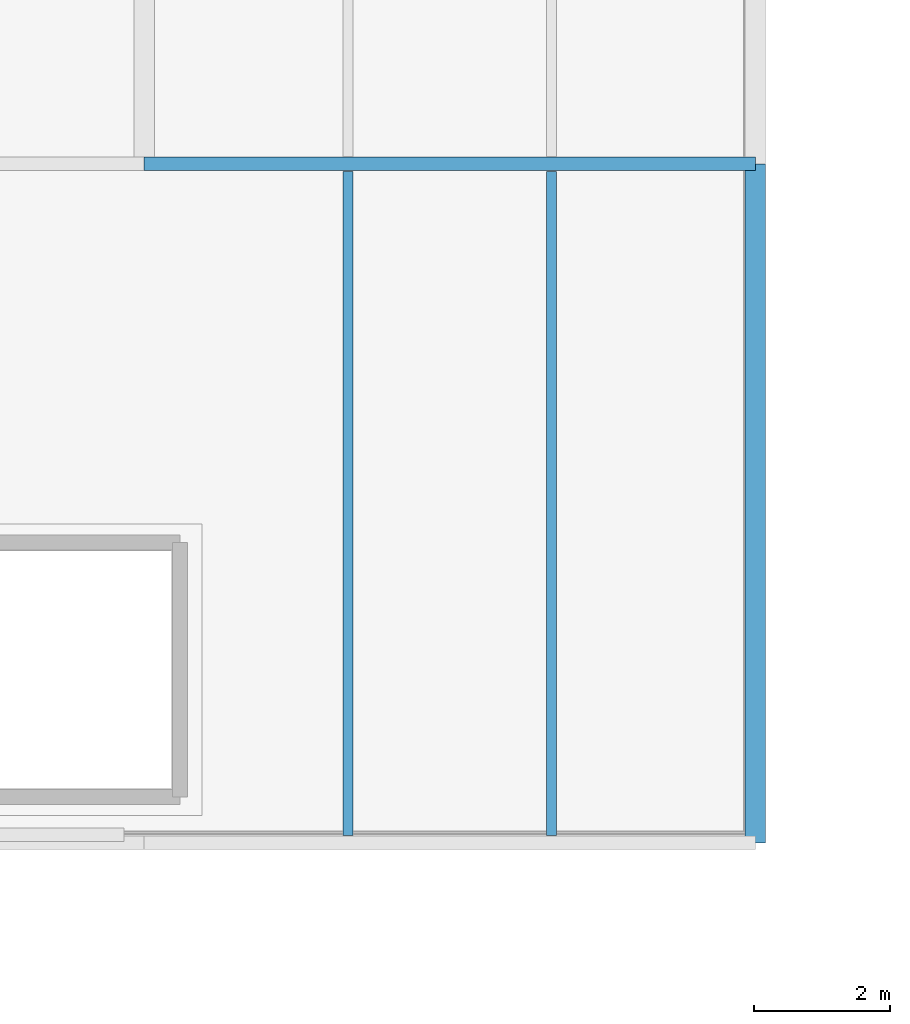
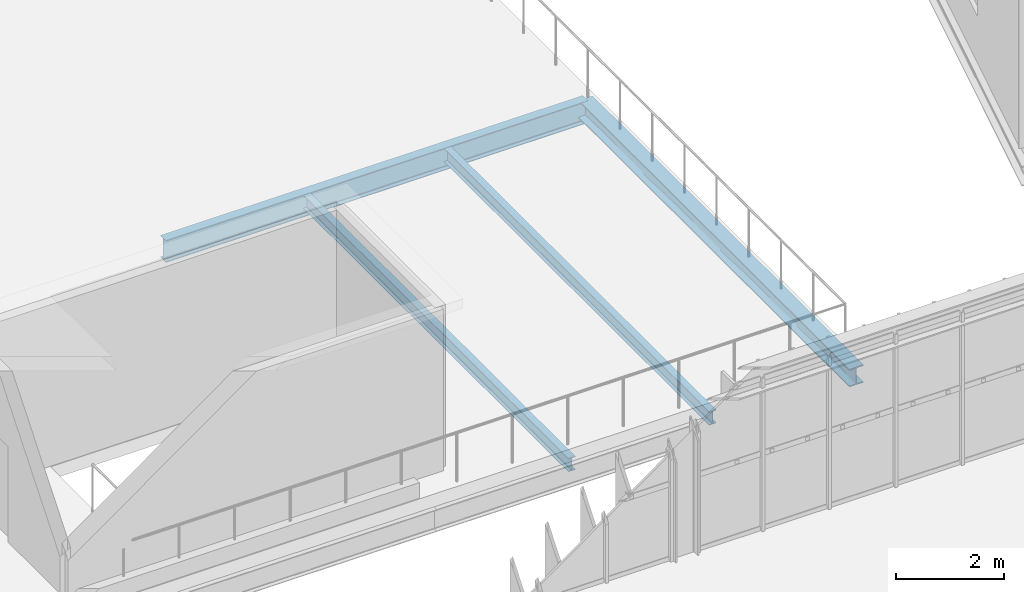
# One storey, part 72 of 152: 4 beams.
"""IFC4 building model written with IfcOpenShell, lengths in metres."""

import ifcopenshell
import ifcopenshell.guid

model = None  # the IFC model being written
_history = None  # IfcOwnerHistory: only IFC2X3 demands one
_inside = {}  # id of a spatial element -> (the spatial element, [elements in it])
_under = {}  # id of a project, library or spatial element -> (it, [spatial elements below it])
_declared = {}  # id of a project -> (the project, [libraries it declares])
_typed = {}  # id of a type object -> (the type object, [elements of that type])
_made_of = {}  # id of a material, layer set ... -> (it, [elements and type objects made of it])


def new_model(schema):
    """Start an empty IFC model of exactly this schema.

    Asked for "IFC4X3", IfcOpenShell would pick the latest addendum, in which some entities
    have other attributes; the version numbers below select the first issue.
    IFC2X3 requires an IfcOwnerHistory on every rooted entity: one is made here for all.
    """
    global model, _history
    if schema == "IFC4X3":
        model = ifcopenshell.file(schema_version=(4, 3, 0, 0))
    else:
        model = ifcopenshell.file(schema=schema)
    _inside.clear()
    _under.clear()
    _declared.clear()
    _typed.clear()
    _made_of.clear()
    _history = None
    if model.schema == "IFC2X3":
        org = make("IfcOrganization", Name="unknown")
        user = make(
            "IfcPersonAndOrganization",
            ThePerson=make("IfcPerson", FamilyName="unknown"),
            TheOrganization=org,
        )
        app = make(
            "IfcApplication",
            ApplicationDeveloper=org,
            Version="unknown",
            ApplicationFullName="unknown",
            ApplicationIdentifier="unknown",
        )
        _history = make(
            "IfcOwnerHistory",
            OwningUser=user,
            OwningApplication=app,
            ChangeAction="ADDED",
            CreationDate=0,
        )
    return model


def make(cls, **values):
    """One entity of the class cls with the attributes given. An attribute that is None is left unset."""
    return model.create_entity(
        cls, **{name: value for name, value in values.items() if value is not None}
    )


def rooted(cls, **values):
    """An entity with a GlobalId (a new one), such as an element, a storey or a relation."""
    return make(cls, GlobalId=ifcopenshell.guid.new(), OwnerHistory=_history, **values)


def si_unit(unit_type, name, prefix=None):
    """IfcSIUnit, for example si_unit("LENGTHUNIT", "METRE", prefix="MILLI")."""
    return make("IfcSIUnit", UnitType=unit_type, Prefix=prefix, Name=name)


def derived_unit(unit_type, elements):
    """IfcDerivedUnit: a product of units, each with its exponent."""
    return make(
        "IfcDerivedUnit",
        Elements=[
            make("IfcDerivedUnitElement", Unit=unit, Exponent=power)
            for unit, power in elements
        ],
        UnitType=unit_type,
    )


def assignment(units):
    """IfcUnitAssignment: the units of a project."""
    return None if units is None else make("IfcUnitAssignment", Units=units)


def point(xyz):
    """IfcCartesianPoint."""
    return None if xyz is None else make("IfcCartesianPoint", Coordinates=xyz)


def direction(xyz):
    """IfcDirection."""
    return None if xyz is None else make("IfcDirection", DirectionRatios=xyz)


def frame(location, z_axis=None, x_axis=None):
    """IfcAxis2Placement3D, a coordinate frame: its origin and axes. An axis left out is left unset."""
    return make(
        "IfcAxis2Placement3D",
        Location=point(location),
        Axis=direction(z_axis),
        RefDirection=direction(x_axis),
    )


def frame_2d(location, x_axis=None):
    """IfcAxis2Placement2D, a coordinate frame in the plane: its origin and x axis."""
    return make(
        "IfcAxis2Placement2D", Location=point(location), RefDirection=direction(x_axis)
    )


def origin():
    """The frame at (0, 0, 0) with its axes left unset."""
    return frame((0.0, 0.0, 0.0))


def origin_2d():
    """The frame at (0, 0) in the plane with its x axis left unset."""
    return frame_2d((0.0, 0.0))


def place(relative_to, where):
    """IfcLocalPlacement: puts the frame where relative to a parent placement (None: the world)."""
    return make(
        "IfcLocalPlacement", PlacementRelTo=relative_to, RelativePlacement=where
    )


def context(
    kind, dimensions, precision=None, world=None, true_north=None, identifier=None
):
    """IfcGeometricRepresentationContext, for example the 3D "Model" context."""
    return make(
        "IfcGeometricRepresentationContext",
        ContextIdentifier=identifier,
        ContextType=kind,
        CoordinateSpaceDimension=dimensions,
        Precision=precision,
        WorldCoordinateSystem=world,
        TrueNorth=true_north,
    )


def subcontext(parent, identifier, kind, view, scale=None):
    """IfcGeometricRepresentationSubContext, for example "Body" below "Model"."""
    return make(
        "IfcGeometricRepresentationSubContext",
        ContextIdentifier=identifier,
        ContextType=kind,
        ParentContext=parent,
        TargetScale=scale,
        TargetView=view,
    )


def project(units=None, contexts=None):
    """IfcProject with its units and contexts."""
    return rooted(
        "IfcProject",
        Name="project",
        RepresentationContexts=contexts,
        UnitsInContext=assignment(units),
    )


def spatial(cls, under=None, at=None, **own):
    """A site, building, storey or space (cls), placed at a placement, below another one or the project."""
    s = rooted(cls, ObjectPlacement=at, **own)
    if under is not None:
        _under.setdefault(under.id(), (under, []))[1].append(s)
    return s


def profile(cls, at=None, kind="AREA", **sizes):
    """A parametric profile (cls). Its sizes go by their IFC names, for example OverallWidth=200.0."""
    return make(cls, ProfileType=kind, Position=at, **sizes)


def i_section(**sizes):
    """IfcIShapeProfileDef."""
    return profile("IfcIShapeProfileDef", **sizes)


def extrude(swept, where, along, depth):
    """IfcExtrudedAreaSolid: the profile swept, set in the frame where, extruded along a direction by depth."""
    return make(
        "IfcExtrudedAreaSolid",
        SweptArea=swept,
        Position=where,
        ExtrudedDirection=direction(along),
        Depth=depth,
    )


def shape(context_of_items, identifier, shape_type, items):
    """IfcShapeRepresentation: the items that make up one representation, for example the "Body"."""
    return make(
        "IfcShapeRepresentation",
        ContextOfItems=context_of_items,
        RepresentationIdentifier=identifier,
        RepresentationType=shape_type,
        Items=items,
    )


def material(Name=None, Category=None):
    """IfcMaterial."""
    return make("IfcMaterial", Name=Name, Category=Category)


def material_profile(
    of_material, cross_section, Name=None, Category=None, Priority=None
):
    """IfcMaterialProfile: a cross section and its material."""
    return make(
        "IfcMaterialProfile",
        Name=Name,
        Material=of_material,
        Profile=cross_section,
        Priority=Priority,
        Category=Category,
    )


def profile_set(profiles, Name=None, composite=None):
    """IfcMaterialProfileSet."""
    return make(
        "IfcMaterialProfileSet",
        Name=Name,
        MaterialProfiles=profiles,
        CompositeProfile=composite,
    )


def made_of(thing, what):
    """Note that an element or type object is made of a material, layer set ...; save() writes the relation."""
    if what is not None:
        _made_of.setdefault(what.id(), (what, []))[1].append(thing)
    return thing


def type_object(cls, material=None, **own):
    """A type object (cls), such as IfcWallType, which elements share."""
    return made_of(rooted(cls, **own), material)


def element(
    cls,
    number,
    at=None,
    inside=None,
    cuts=None,
    type_object=None,
    material=None,
    context=None,
    identifier="Body",
    shape_type=None,
    held_by="IfcProductDefinitionShape",
    body=None,
    shapes=None,
    **own,
):
    """One element of the class cls, such as IfcWall. Its Tag is "e" and its number.

    at: its placement. inside: the storey or other place that contains it. cuts: it is an
    opening in that element (IfcRelVoidsElement). A single representation is given by context,
    identifier, shape_type and body (its items); several are given by shapes. held_by: the class
    of the entity that holds the representations. save() writes the other relations.
    """
    e = rooted(cls, Tag="e%d" % number, ObjectPlacement=at, **own)
    if body is not None:
        shapes = [shape(context, identifier, shape_type, body)]
    if shapes is not None:
        e.Representation = make(held_by, Representations=shapes)
    if inside is not None:
        _inside.setdefault(inside.id(), (inside, []))[1].append(e)
    if cuts is not None:
        rooted(
            "IfcRelVoidsElement", RelatingBuildingElement=cuts, RelatedOpeningElement=e
        )
    if type_object is not None:
        _typed.setdefault(type_object.id(), (type_object, []))[1].append(e)
    return made_of(e, material)


def aggregate(whole, parts):
    """IfcRelAggregates: a whole, such as a stair, and the parts it consists of."""
    return rooted("IfcRelAggregates", RelatingObject=whole, RelatedObjects=parts)


def save(model, path):
    """Write the relations noted so far, then the file.

    IfcRelAggregates (storeys below a building ...), IfcRelContainedInSpatialStructure (elements
    in a storey), IfcRelDefinesByType, IfcRelAssociatesMaterial and IfcRelDeclares: one each for
    every whole, place, type object, material and project.
    """
    for whole, parts in _under.values():
        aggregate(whole, parts)
    for where, things in _inside.values():
        rooted(
            "IfcRelContainedInSpatialStructure",
            RelatedElements=things,
            RelatingStructure=where,
        )
    for kind, things in _typed.values():
        rooted("IfcRelDefinesByType", RelatedObjects=things, RelatingType=kind)
    for what, things in _made_of.values():
        rooted("IfcRelAssociatesMaterial", RelatedObjects=things, RelatingMaterial=what)
    for by, libraries in _declared.values():
        rooted("IfcRelDeclares", RelatingContext=by, RelatedDefinitions=libraries)
    model.write(path)


model = new_model("IFC4")

# Units and contexts
model_context = context("Model", 3, precision=1e-05, world=origin(), true_north=direction((0.0, 1.0)))
body_context = subcontext(model_context, "Body", "Model", "MODEL_VIEW")
ifc_project = project(units=[si_unit("LENGTHUNIT", "METRE"), si_unit("AREAUNIT", "SQUARE_METRE"), si_unit("VOLUMEUNIT", "CUBIC_METRE"), si_unit("PLANEANGLEUNIT", "RADIAN"), si_unit("MASSUNIT", "GRAM", prefix="KILO"), si_unit("THERMODYNAMICTEMPERATUREUNIT", "KELVIN"), si_unit("TIMEUNIT", "SECOND"), derived_unit("THERMALTRANSMITTANCEUNIT", [(si_unit("MASSUNIT", "GRAM", prefix="KILO"), 1), (si_unit("THERMODYNAMICTEMPERATUREUNIT", "KELVIN"), -1), (si_unit("TIMEUNIT", "SECOND"), -3)])], contexts=[model_context])

# Site, building, storey
site_placement = place(None, origin())
site = spatial("IfcSite", under=ifc_project, at=site_placement, CompositionType="ELEMENT")
building_placement = place(site_placement, origin())
building = spatial("IfcBuilding", under=site, at=building_placement, Name="Cambertide Market Hall", CompositionType="ELEMENT")
storey_placement = place(building_placement, frame((0.0, 0.0, 5.39990234375)))
storey = spatial("IfcBuildingStorey", under=building, at=storey_placement, Name="L02", CompositionType="ELEMENT", Elevation=5.39990234375)

# Beams
ifc_material_1 = material(Name="Steel S355", Category="steel")
ifc_material_profile_1 = material_profile(ifc_material_1, i_section(OverallWidth=0.300048828125, OverallDepth=0.39990234375, WebThickness=0.013427734375, FlangeThickness=0.02392578125, FilletRadius=0.027099609375, at=origin_2d()), Name="HEB 400")
ifc_profile_set_1 = profile_set([ifc_material_profile_1], Name="Steel S355")
beam_type_1 = type_object("IfcBeamType", Name="Steel Girder HEB 400", PredefinedType="BEAM", material=ifc_profile_set_1)
beam_1_placement = place(storey_placement, frame((102.0, 96.0, -0.489990234375), z_axis=(0.0, 1.0, 0.0), x_axis=(-1.0, 0.0, 0.0)))
element("IfcBeam", 1, at=beam_1_placement, inside=storey, type_object=beam_type_1, Name="Level 2 Beam BM-V2Y-L02-11-1", PredefinedType="BEAM", context=body_context, shape_type="SweptSolid", body=[
    extrude(i_section(OverallWidth=0.300048828125, OverallDepth=0.39990234375, WebThickness=0.013427734375, FlangeThickness=0.02392578125, FilletRadius=0.027099609375, at=origin_2d()), origin(), (0.0, 0.0, 1.0), 10.0),
])
ifc_material_2 = material(Name="Steel S355", Category="steel")
ifc_material_profile_2 = material_profile(ifc_material_2, i_section(OverallWidth=0.199951171875, OverallDepth=0.5, WebThickness=0.01025390625, FlangeThickness=0.01611328125, FilletRadius=0.02099609375, at=origin_2d()), Name="IPE 500")
ifc_profile_set_2 = profile_set([ifc_material_profile_2], Name="Steel S355")
beam_type_2 = type_object("IfcBeamType", Name="Steel Girder IPE 500", PredefinedType="BEAM", material=ifc_profile_set_2)
beam_2_placement = place(storey_placement, frame((93.0, 106.0, -0.539794921875), z_axis=(1.0, 0.0, 0.0), x_axis=(0.0, 1.0, 0.0)))
element("IfcBeam", 2, at=beam_2_placement, inside=storey, type_object=beam_type_2, Name="Level 2 Beam BM-V2X-L02-10-2", PredefinedType="BEAM", context=body_context, shape_type="SweptSolid", body=[
    extrude(i_section(OverallWidth=0.199951171875, OverallDepth=0.5, WebThickness=0.01025390625, FlangeThickness=0.01611328125, FilletRadius=0.02099609375, at=origin_2d()), origin(), (0.0, 0.0, 1.0), 9.0),
])
ifc_material_3 = material(Name="Steel S275", Category="steel")
ifc_material_profile_3 = material_profile(ifc_material_3, i_section(OverallWidth=0.14990234375, OverallDepth=0.300048828125, WebThickness=0.007080078125, FlangeThickness=0.0107421875, FilletRadius=0.014892578125, at=origin_2d()), Name="IPE 300")
ifc_profile_set_3 = profile_set([ifc_material_profile_3], Name="Steel S275")
beam_type_3 = type_object("IfcBeamType", Name="Steel Secondary Joist IPE 300", PredefinedType="JOIST", material=ifc_profile_set_3)
for number, where, z_axis, x_axis, name in (
    (3, (96.0, 96.10791015625, -0.43994140625), (0.0, 1.0, 0.0), (-1.0, 0.0, 0.0), "Level 2 Joist JS-V2-L02-10-1-1"),
    (4, (99.0, 96.10791015625, -0.43994140625), (0.0, 1.0, 0.0), (-1.0, 0.0, 0.0), "Level 2 Joist JS-V2-L02-10-1-2"),
):
    element("IfcBeam", number, at=place(storey_placement, frame(where, z_axis=z_axis, x_axis=x_axis)), inside=storey, type_object=beam_type_3, Name=name, PredefinedType="JOIST", context=body_context, shape_type="SweptSolid", body=[
        extrude(i_section(OverallWidth=0.14990234375, OverallDepth=0.300048828125, WebThickness=0.007080078125, FlangeThickness=0.0107421875, FilletRadius=0.014892578125, at=origin_2d()), origin(), (0.0, 0.0, 1.0), 9.7841796875),
    ])

save(model, "model.ifc")
